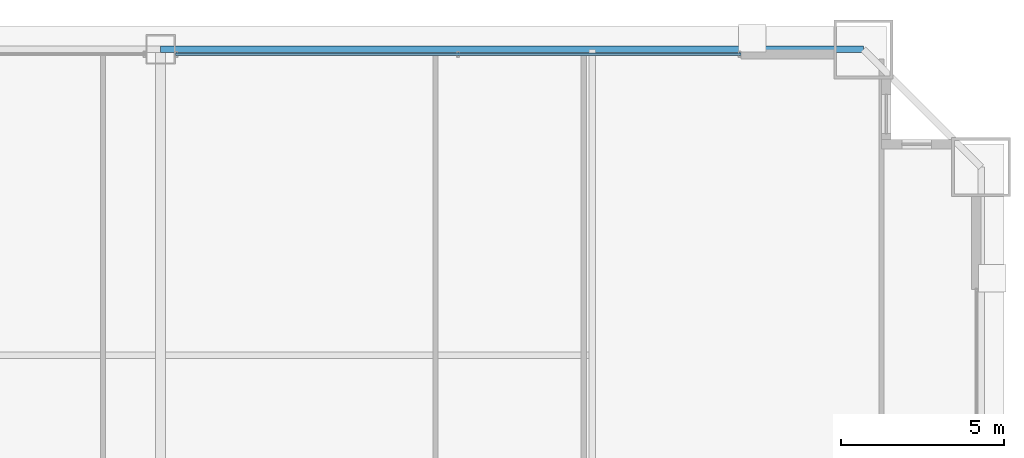
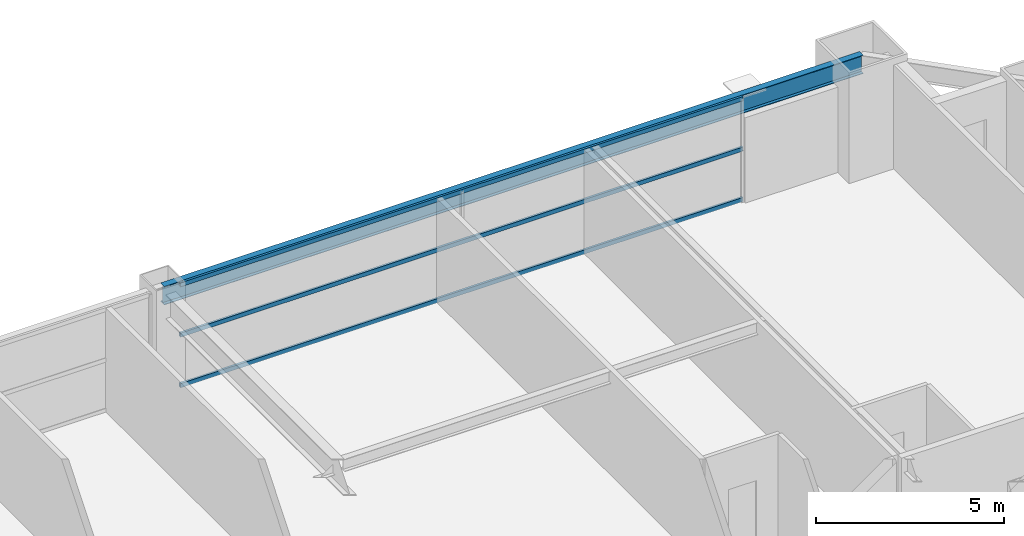
# One storey, part 35 of 43: 3 members, 1 beam, 1 element without a shape of its own.
"""IFC4 building model written with IfcOpenShell, lengths in metres."""

import ifcopenshell
import ifcopenshell.guid

model = None  # the IFC model being written
_history = None  # IfcOwnerHistory: only IFC2X3 demands one
_inside = {}  # id of a spatial element -> (the spatial element, [elements in it])
_under = {}  # id of a project, library or spatial element -> (it, [spatial elements below it])
_declared = {}  # id of a project -> (the project, [libraries it declares])
_typed = {}  # id of a type object -> (the type object, [elements of that type])
_made_of = {}  # id of a material, layer set ... -> (it, [elements and type objects made of it])


def new_model(schema):
    """Start an empty IFC model of exactly this schema.

    Asked for "IFC4X3", IfcOpenShell would pick the latest addendum, in which some entities
    have other attributes; the version numbers below select the first issue.
    IFC2X3 requires an IfcOwnerHistory on every rooted entity: one is made here for all.
    """
    global model, _history
    if schema == "IFC4X3":
        model = ifcopenshell.file(schema_version=(4, 3, 0, 0))
    else:
        model = ifcopenshell.file(schema=schema)
    _inside.clear()
    _under.clear()
    _declared.clear()
    _typed.clear()
    _made_of.clear()
    _history = None
    if model.schema == "IFC2X3":
        org = make("IfcOrganization", Name="unknown")
        user = make(
            "IfcPersonAndOrganization",
            ThePerson=make("IfcPerson", FamilyName="unknown"),
            TheOrganization=org,
        )
        app = make(
            "IfcApplication",
            ApplicationDeveloper=org,
            Version="unknown",
            ApplicationFullName="unknown",
            ApplicationIdentifier="unknown",
        )
        _history = make(
            "IfcOwnerHistory",
            OwningUser=user,
            OwningApplication=app,
            ChangeAction="ADDED",
            CreationDate=0,
        )
    return model


def make(cls, **values):
    """One entity of the class cls with the attributes given. An attribute that is None is left unset."""
    return model.create_entity(
        cls, **{name: value for name, value in values.items() if value is not None}
    )


def rooted(cls, **values):
    """An entity with a GlobalId (a new one), such as an element, a storey or a relation."""
    return make(cls, GlobalId=ifcopenshell.guid.new(), OwnerHistory=_history, **values)


def si_unit(unit_type, name, prefix=None):
    """IfcSIUnit, for example si_unit("LENGTHUNIT", "METRE", prefix="MILLI")."""
    return make("IfcSIUnit", UnitType=unit_type, Prefix=prefix, Name=name)


def assignment(units):
    """IfcUnitAssignment: the units of a project."""
    return None if units is None else make("IfcUnitAssignment", Units=units)


def point(xyz):
    """IfcCartesianPoint."""
    return None if xyz is None else make("IfcCartesianPoint", Coordinates=xyz)


def direction(xyz):
    """IfcDirection."""
    return None if xyz is None else make("IfcDirection", DirectionRatios=xyz)


def frame(location, z_axis=None, x_axis=None):
    """IfcAxis2Placement3D, a coordinate frame: its origin and axes. An axis left out is left unset."""
    return make(
        "IfcAxis2Placement3D",
        Location=point(location),
        Axis=direction(z_axis),
        RefDirection=direction(x_axis),
    )


def frame_2d(location, x_axis=None):
    """IfcAxis2Placement2D, a coordinate frame in the plane: its origin and x axis."""
    return make(
        "IfcAxis2Placement2D", Location=point(location), RefDirection=direction(x_axis)
    )


def origin():
    """The frame at (0, 0, 0) with its axes left unset."""
    return frame((0.0, 0.0, 0.0))


def origin_2d():
    """The frame at (0, 0) in the plane with its x axis left unset."""
    return frame_2d((0.0, 0.0))


def place(relative_to, where):
    """IfcLocalPlacement: puts the frame where relative to a parent placement (None: the world)."""
    return make(
        "IfcLocalPlacement", PlacementRelTo=relative_to, RelativePlacement=where
    )


def context(
    kind, dimensions, precision=None, world=None, true_north=None, identifier=None
):
    """IfcGeometricRepresentationContext, for example the 3D "Model" context."""
    return make(
        "IfcGeometricRepresentationContext",
        ContextIdentifier=identifier,
        ContextType=kind,
        CoordinateSpaceDimension=dimensions,
        Precision=precision,
        WorldCoordinateSystem=world,
        TrueNorth=true_north,
    )


def subcontext(parent, identifier, kind, view, scale=None):
    """IfcGeometricRepresentationSubContext, for example "Body" below "Model"."""
    return make(
        "IfcGeometricRepresentationSubContext",
        ContextIdentifier=identifier,
        ContextType=kind,
        ParentContext=parent,
        TargetScale=scale,
        TargetView=view,
    )


def project(units=None, contexts=None):
    """IfcProject with its units and contexts."""
    return rooted(
        "IfcProject",
        Name="project",
        RepresentationContexts=contexts,
        UnitsInContext=assignment(units),
    )


def spatial(cls, under=None, at=None, **own):
    """A site, building, storey or space (cls), placed at a placement, below another one or the project."""
    s = rooted(cls, ObjectPlacement=at, **own)
    if under is not None:
        _under.setdefault(under.id(), (under, []))[1].append(s)
    return s


def profile(cls, at=None, kind="AREA", **sizes):
    """A parametric profile (cls). Its sizes go by their IFC names, for example OverallWidth=200.0."""
    return make(cls, ProfileType=kind, Position=at, **sizes)


def hollow_rectangle(**sizes):
    """IfcRectangleHollowProfileDef."""
    return profile("IfcRectangleHollowProfileDef", **sizes)


def i_section(**sizes):
    """IfcIShapeProfileDef."""
    return profile("IfcIShapeProfileDef", **sizes)


def extrude(swept, where, along, depth):
    """IfcExtrudedAreaSolid: the profile swept, set in the frame where, extruded along a direction by depth."""
    return make(
        "IfcExtrudedAreaSolid",
        SweptArea=swept,
        Position=where,
        ExtrudedDirection=direction(along),
        Depth=depth,
    )


def shape(context_of_items, identifier, shape_type, items):
    """IfcShapeRepresentation: the items that make up one representation, for example the "Body"."""
    return make(
        "IfcShapeRepresentation",
        ContextOfItems=context_of_items,
        RepresentationIdentifier=identifier,
        RepresentationType=shape_type,
        Items=items,
    )


def source(mapping_origin, context_of_items, identifier, shape_type, items):
    """IfcRepresentationMap: a shape defined once, which mapped items show again and again."""
    return make(
        "IfcRepresentationMap",
        MappingOrigin=mapping_origin,
        MappedRepresentation=shape(context_of_items, identifier, shape_type, items),
    )


def transform(
    local_origin,
    x_axis=None,
    y_axis=None,
    z_axis=None,
    scale=None,
    scale2=None,
    scale3=None,
    uniform=True,
):
    """IfcCartesianTransformationOperator3D, or its non-uniform kind. x_axis, y_axis, z_axis: its Axis1, 2, 3."""
    if uniform:
        return make(
            "IfcCartesianTransformationOperator3D",
            Axis1=direction(x_axis),
            Axis2=direction(y_axis),
            LocalOrigin=point(local_origin),
            Scale=scale,
            Axis3=direction(z_axis),
        )
    return make(
        "IfcCartesianTransformationOperator3DnonUniform",
        Axis1=direction(x_axis),
        Axis2=direction(y_axis),
        LocalOrigin=point(local_origin),
        Scale=scale,
        Axis3=direction(z_axis),
        Scale2=scale2,
        Scale3=scale3,
    )


def mapped(mapping_source, mapping_target):
    """IfcMappedItem: shows the shape of a source again, moved by a transform."""
    return make(
        "IfcMappedItem", MappingSource=mapping_source, MappingTarget=mapping_target
    )


def material(Name=None, Category=None):
    """IfcMaterial."""
    return make("IfcMaterial", Name=Name, Category=Category)


def layer(
    of_material, thickness, ventilated=None, Name=None, Category=None, Priority=None
):
    """IfcMaterialLayer: one layer of a wall or slab, of a material (None: an air gap)."""
    return make(
        "IfcMaterialLayer",
        Material=of_material,
        LayerThickness=thickness,
        IsVentilated=ventilated,
        Name=Name,
        Category=Category,
        Priority=Priority,
    )


def layer_set(layers, Name=None):
    """IfcMaterialLayerSet."""
    return make("IfcMaterialLayerSet", MaterialLayers=layers, LayerSetName=Name)


def material_profile(
    of_material, cross_section, Name=None, Category=None, Priority=None
):
    """IfcMaterialProfile: a cross section and its material."""
    return make(
        "IfcMaterialProfile",
        Name=Name,
        Material=of_material,
        Profile=cross_section,
        Priority=Priority,
        Category=Category,
    )


def profile_set(profiles, Name=None, composite=None):
    """IfcMaterialProfileSet."""
    return make(
        "IfcMaterialProfileSet",
        Name=Name,
        MaterialProfiles=profiles,
        CompositeProfile=composite,
    )


def made_of(thing, what):
    """Note that an element or type object is made of a material, layer set ...; save() writes the relation."""
    if what is not None:
        _made_of.setdefault(what.id(), (what, []))[1].append(thing)
    return thing


def type_object(cls, material=None, **own):
    """A type object (cls), such as IfcWallType, which elements share."""
    return made_of(rooted(cls, **own), material)


def element(
    cls,
    number,
    at=None,
    inside=None,
    cuts=None,
    type_object=None,
    material=None,
    context=None,
    identifier="Body",
    shape_type=None,
    held_by="IfcProductDefinitionShape",
    body=None,
    shapes=None,
    **own,
):
    """One element of the class cls, such as IfcWall. Its Tag is "e" and its number.

    at: its placement. inside: the storey or other place that contains it. cuts: it is an
    opening in that element (IfcRelVoidsElement). A single representation is given by context,
    identifier, shape_type and body (its items); several are given by shapes. held_by: the class
    of the entity that holds the representations. save() writes the other relations.
    """
    e = rooted(cls, Tag="e%d" % number, ObjectPlacement=at, **own)
    if body is not None:
        shapes = [shape(context, identifier, shape_type, body)]
    if shapes is not None:
        e.Representation = make(held_by, Representations=shapes)
    if inside is not None:
        _inside.setdefault(inside.id(), (inside, []))[1].append(e)
    if cuts is not None:
        rooted(
            "IfcRelVoidsElement", RelatingBuildingElement=cuts, RelatedOpeningElement=e
        )
    if type_object is not None:
        _typed.setdefault(type_object.id(), (type_object, []))[1].append(e)
    return made_of(e, material)


def aggregate(whole, parts):
    """IfcRelAggregates: a whole, such as a stair, and the parts it consists of."""
    return rooted("IfcRelAggregates", RelatingObject=whole, RelatedObjects=parts)


def save(model, path):
    """Write the relations noted so far, then the file.

    IfcRelAggregates (storeys below a building ...), IfcRelContainedInSpatialStructure (elements
    in a storey), IfcRelDefinesByType, IfcRelAssociatesMaterial and IfcRelDeclares: one each for
    every whole, place, type object, material and project.
    """
    for whole, parts in _under.values():
        aggregate(whole, parts)
    for where, things in _inside.values():
        rooted(
            "IfcRelContainedInSpatialStructure",
            RelatedElements=things,
            RelatingStructure=where,
        )
    for kind, things in _typed.values():
        rooted("IfcRelDefinesByType", RelatedObjects=things, RelatingType=kind)
    for what, things in _made_of.values():
        rooted("IfcRelAssociatesMaterial", RelatedObjects=things, RelatingMaterial=what)
    for by, libraries in _declared.values():
        rooted("IfcRelDeclares", RelatingContext=by, RelatedDefinitions=libraries)
    model.write(path)


model = new_model("IFC4")

# Units and contexts
model_context = context("Model", 3, precision=1e-05, world=origin(), true_north=direction((0.0, 1.0)))
body_context = subcontext(model_context, "Body", "Model", "MODEL_VIEW")
ifc_project = project(units=[si_unit("LENGTHUNIT", "METRE"), si_unit("AREAUNIT", "SQUARE_METRE"), si_unit("VOLUMEUNIT", "CUBIC_METRE"), si_unit("PLANEANGLEUNIT", "RADIAN"), si_unit("MASSUNIT", "GRAM", prefix="KILO"), si_unit("THERMODYNAMICTEMPERATUREUNIT", "KELVIN"), si_unit("POWERUNIT", "WATT")], contexts=[model_context])

# Site, building, storey
site_placement = place(None, origin())
site = spatial("IfcSite", under=ifc_project, at=site_placement, CompositionType="ELEMENT")
building_placement = place(site_placement, origin())
building = spatial("IfcBuilding", under=site, at=building_placement, Name="Yuzanri Waterfront Tower", CompositionType="ELEMENT")
storey_placement = place(building_placement, frame((0.0, 0.0, 71.199951171875)))
storey = spatial("IfcBuildingStorey", under=building, at=storey_placement, Name="L18", CompositionType="ELEMENT", Elevation=71.199951171875)

# Beam
ifc_material_1 = material(Name="Steel Q355B", Category="steel")
ifc_material_profile_1 = material_profile(ifc_material_1, i_section(OverallWidth=0.199951171875, OverallDepth=0.60009765625, WebThickness=0.010986328125, FlangeThickness=0.01708984375, at=origin_2d()), Name="HN 600x200x11x17")
ifc_profile_set_1 = profile_set([ifc_material_profile_1], Name="Steel Q355B")
beam_type = type_object("IfcBeamType", Name="Perimeter Spandrel Q355B HN 600x200", PredefinedType="SPANDREL", material=ifc_profile_set_1)
shared_shape_1 = source(origin(), body_context, "Body", "SweptSolid", [
    extrude(i_section(OverallWidth=0.199951171875, OverallDepth=0.60009765625, WebThickness=0.010986328125, FlangeThickness=0.01708984375, at=origin_2d()), origin(), (0.0, 0.0, 1.0), 21.5),
])
beam_placement = place(storey_placement, frame((58.5, 50.89990234375, 3.080078125), z_axis=(-1.0, 0.0, 0.0), x_axis=(0.0, -1.0, 0.0)))
element("IfcBeam", 1, at=beam_placement, inside=storey, type_object=beam_type, Name="L18 Perimeter Spandrel N3-N2", PredefinedType="SPANDREL", context=body_context, shape_type="MappedRepresentation", body=[
    mapped(shared_shape_1, transform((0.0, 0.0, 0.0), scale=1.0)),
])

# Curtain wall, members
ifc_material_2 = material(Name="Anodized Architectural Bronze", Category="metal")
ifc_layer = layer(ifc_material_2, 0.159912109375)
ifc_layer_set = layer_set([ifc_layer], Name="Anodized Architectural Bronze")
curtain_wall_type = type_object("IfcCurtainWallType", Name="Anodized Bronze Hotel Lower-Tier Recessed Unitized Curtain Wall 8100", PredefinedType="NOTDEFINED", material=ifc_layer_set)
curtain_wall_placement = place(storey_placement, origin())
curtain_wall = element("IfcCurtainWall", 2, at=curtain_wall_placement, inside=storey, type_object=curtain_wall_type, Name="L18 Curtain Wall CW-L18-NR", PredefinedType="NOTDEFINED")
ifc_material_3 = material(Name="Anodized Architectural Bronze", Category="metal")
ifc_material_profile_2 = material_profile(ifc_material_3, hollow_rectangle(XDim=0.070068359375, YDim=0.135009765625, WallThickness=0.00341796875, at=origin_2d()), Name="CWT 70x135")
ifc_profile_set_2 = profile_set([ifc_material_profile_2], Name="Anodized Architectural Bronze")
member_type = type_object("IfcMemberType", Name="Anodized Bronze Standard Curtain-Wall Transom 70x135", PredefinedType="USERDEFINED", material=ifc_profile_set_2)
shared_shape_2 = source(origin(), body_context, "Body", "SweptSolid", [
    extrude(hollow_rectangle(XDim=0.070068359375, YDim=0.135009765625, WallThickness=0.00341796875, at=origin_2d()), origin(), (0.0, 0.0, 1.0), 17.300048828125),
])
member_1_placement = place(storey_placement, frame((37.449951171875, 50.75, 0.050048828125), z_axis=(1.0, 0.0, 0.0), x_axis=(0.0, 1.0, 0.0)))
member_1 = element("IfcMember", 3, at=member_1_placement, type_object=member_type, Name="CW-L18-NR Transom 1", ObjectType="TRANSOM", PredefinedType="USERDEFINED", context=body_context, shape_type="MappedRepresentation", body=[
    mapped(shared_shape_2, transform((0.0, 0.0, 0.0), scale=1.0)),
])
member_2_placement = place(storey_placement, frame((37.449951171875, 50.75, 1.68994140625), z_axis=(1.0, 0.0, 0.0), x_axis=(0.0, 1.0, 0.0)))
member_2 = element("IfcMember", 4, at=member_2_placement, type_object=member_type, Name="CW-L18-NR Transom 2", ObjectType="TRANSOM", PredefinedType="USERDEFINED", context=body_context, shape_type="MappedRepresentation", body=[
    mapped(shared_shape_2, transform((0.0, 0.0, 0.0), scale=1.0)),
])
member_3_placement = place(storey_placement, frame((37.449951171875, 50.75, 3.330078125), z_axis=(1.0, 0.0, 0.0), x_axis=(0.0, 1.0, 0.0)))
member_3 = element("IfcMember", 5, at=member_3_placement, type_object=member_type, Name="CW-L18-NR Transom 3", ObjectType="TRANSOM", PredefinedType="USERDEFINED", context=body_context, shape_type="MappedRepresentation", body=[
    mapped(shared_shape_2, transform((0.0, 0.0, 0.0), scale=1.0)),
])
aggregate(curtain_wall, [member_1, member_2, member_3])

save(model, "model.ifc")
